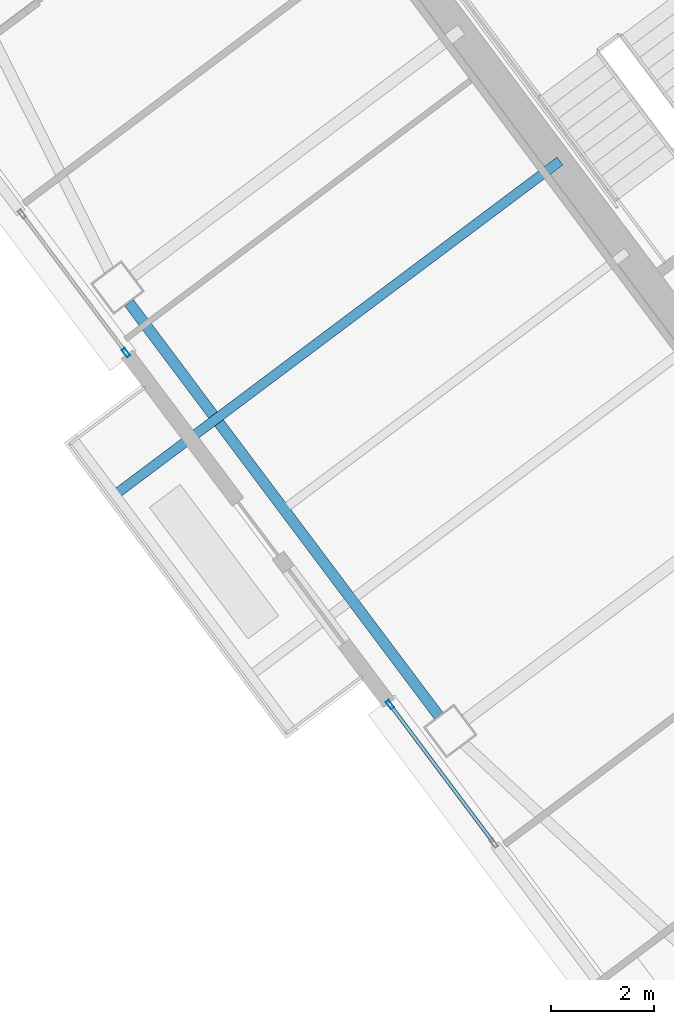
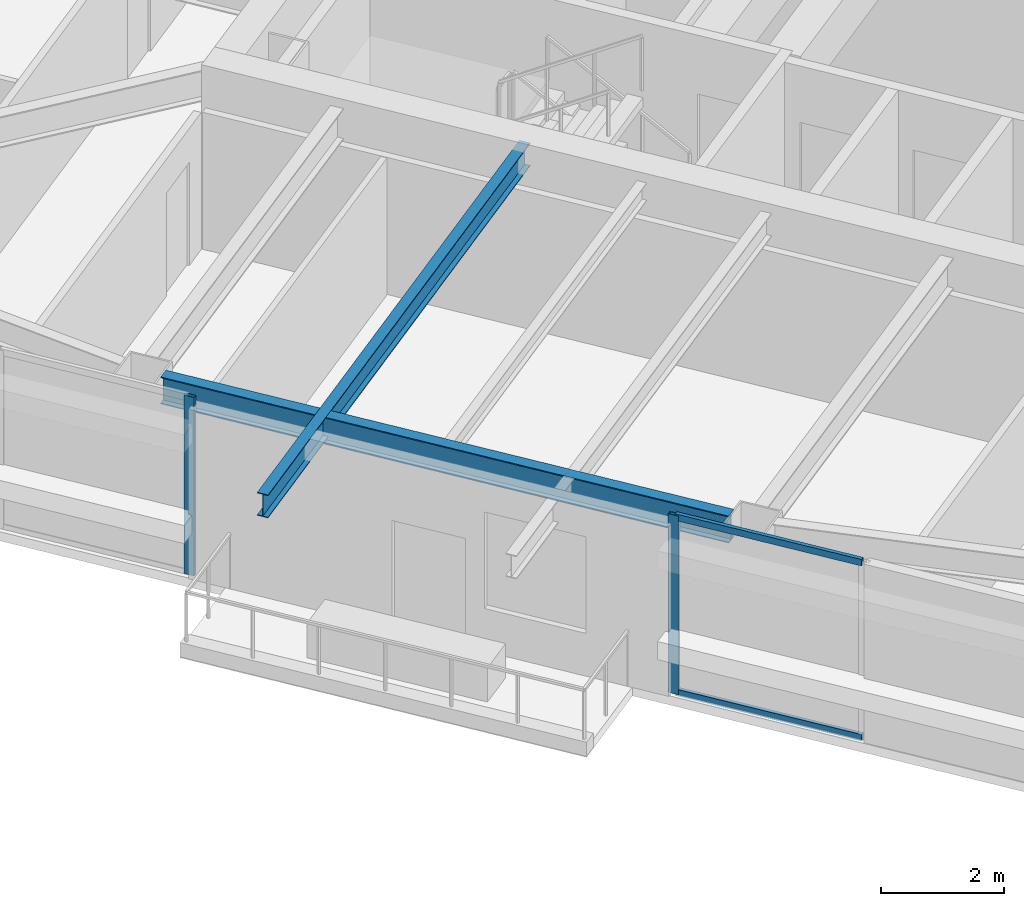
# One storey, part 16 of 41: 4 members, 2 beams, 2 elements without a shape of their own.
"""IFC4 building model written with IfcOpenShell, lengths in metres."""

import ifcopenshell
import ifcopenshell.guid

model = None  # the IFC model being written
_history = None  # IfcOwnerHistory: only IFC2X3 demands one
_inside = {}  # id of a spatial element -> (the spatial element, [elements in it])
_under = {}  # id of a project, library or spatial element -> (it, [spatial elements below it])
_declared = {}  # id of a project -> (the project, [libraries it declares])
_typed = {}  # id of a type object -> (the type object, [elements of that type])
_made_of = {}  # id of a material, layer set ... -> (it, [elements and type objects made of it])


def new_model(schema):
    """Start an empty IFC model of exactly this schema.

    Asked for "IFC4X3", IfcOpenShell would pick the latest addendum, in which some entities
    have other attributes; the version numbers below select the first issue.
    IFC2X3 requires an IfcOwnerHistory on every rooted entity: one is made here for all.
    """
    global model, _history
    if schema == "IFC4X3":
        model = ifcopenshell.file(schema_version=(4, 3, 0, 0))
    else:
        model = ifcopenshell.file(schema=schema)
    _inside.clear()
    _under.clear()
    _declared.clear()
    _typed.clear()
    _made_of.clear()
    _history = None
    if model.schema == "IFC2X3":
        org = make("IfcOrganization", Name="unknown")
        user = make(
            "IfcPersonAndOrganization",
            ThePerson=make("IfcPerson", FamilyName="unknown"),
            TheOrganization=org,
        )
        app = make(
            "IfcApplication",
            ApplicationDeveloper=org,
            Version="unknown",
            ApplicationFullName="unknown",
            ApplicationIdentifier="unknown",
        )
        _history = make(
            "IfcOwnerHistory",
            OwningUser=user,
            OwningApplication=app,
            ChangeAction="ADDED",
            CreationDate=0,
        )
    return model


def make(cls, **values):
    """One entity of the class cls with the attributes given. An attribute that is None is left unset."""
    return model.create_entity(
        cls, **{name: value for name, value in values.items() if value is not None}
    )


def rooted(cls, **values):
    """An entity with a GlobalId (a new one), such as an element, a storey or a relation."""
    return make(cls, GlobalId=ifcopenshell.guid.new(), OwnerHistory=_history, **values)


def si_unit(unit_type, name, prefix=None):
    """IfcSIUnit, for example si_unit("LENGTHUNIT", "METRE", prefix="MILLI")."""
    return make("IfcSIUnit", UnitType=unit_type, Prefix=prefix, Name=name)


def assignment(units):
    """IfcUnitAssignment: the units of a project."""
    return None if units is None else make("IfcUnitAssignment", Units=units)


def point(xyz):
    """IfcCartesianPoint."""
    return None if xyz is None else make("IfcCartesianPoint", Coordinates=xyz)


def direction(xyz):
    """IfcDirection."""
    return None if xyz is None else make("IfcDirection", DirectionRatios=xyz)


def frame(location, z_axis=None, x_axis=None):
    """IfcAxis2Placement3D, a coordinate frame: its origin and axes. An axis left out is left unset."""
    return make(
        "IfcAxis2Placement3D",
        Location=point(location),
        Axis=direction(z_axis),
        RefDirection=direction(x_axis),
    )


def frame_2d(location, x_axis=None):
    """IfcAxis2Placement2D, a coordinate frame in the plane: its origin and x axis."""
    return make(
        "IfcAxis2Placement2D", Location=point(location), RefDirection=direction(x_axis)
    )


def origin():
    """The frame at (0, 0, 0) with its axes left unset."""
    return frame((0.0, 0.0, 0.0))


def origin_2d():
    """The frame at (0, 0) in the plane with its x axis left unset."""
    return frame_2d((0.0, 0.0))


def place(relative_to, where):
    """IfcLocalPlacement: puts the frame where relative to a parent placement (None: the world)."""
    return make(
        "IfcLocalPlacement", PlacementRelTo=relative_to, RelativePlacement=where
    )


def context(
    kind, dimensions, precision=None, world=None, true_north=None, identifier=None
):
    """IfcGeometricRepresentationContext, for example the 3D "Model" context."""
    return make(
        "IfcGeometricRepresentationContext",
        ContextIdentifier=identifier,
        ContextType=kind,
        CoordinateSpaceDimension=dimensions,
        Precision=precision,
        WorldCoordinateSystem=world,
        TrueNorth=true_north,
    )


def subcontext(parent, identifier, kind, view, scale=None):
    """IfcGeometricRepresentationSubContext, for example "Body" below "Model"."""
    return make(
        "IfcGeometricRepresentationSubContext",
        ContextIdentifier=identifier,
        ContextType=kind,
        ParentContext=parent,
        TargetScale=scale,
        TargetView=view,
    )


def project(units=None, contexts=None):
    """IfcProject with its units and contexts."""
    return rooted(
        "IfcProject",
        Name="project",
        RepresentationContexts=contexts,
        UnitsInContext=assignment(units),
    )


def spatial(cls, under=None, at=None, **own):
    """A site, building, storey or space (cls), placed at a placement, below another one or the project."""
    s = rooted(cls, ObjectPlacement=at, **own)
    if under is not None:
        _under.setdefault(under.id(), (under, []))[1].append(s)
    return s


def profile(cls, at=None, kind="AREA", **sizes):
    """A parametric profile (cls). Its sizes go by their IFC names, for example OverallWidth=200.0."""
    return make(cls, ProfileType=kind, Position=at, **sizes)


def hollow_rectangle(**sizes):
    """IfcRectangleHollowProfileDef."""
    return profile("IfcRectangleHollowProfileDef", **sizes)


def i_section(**sizes):
    """IfcIShapeProfileDef."""
    return profile("IfcIShapeProfileDef", **sizes)


def extrude(swept, where, along, depth):
    """IfcExtrudedAreaSolid: the profile swept, set in the frame where, extruded along a direction by depth."""
    return make(
        "IfcExtrudedAreaSolid",
        SweptArea=swept,
        Position=where,
        ExtrudedDirection=direction(along),
        Depth=depth,
    )


def shape(context_of_items, identifier, shape_type, items):
    """IfcShapeRepresentation: the items that make up one representation, for example the "Body"."""
    return make(
        "IfcShapeRepresentation",
        ContextOfItems=context_of_items,
        RepresentationIdentifier=identifier,
        RepresentationType=shape_type,
        Items=items,
    )


def material(Name=None, Category=None):
    """IfcMaterial."""
    return make("IfcMaterial", Name=Name, Category=Category)


def material_profile(
    of_material, cross_section, Name=None, Category=None, Priority=None
):
    """IfcMaterialProfile: a cross section and its material."""
    return make(
        "IfcMaterialProfile",
        Name=Name,
        Material=of_material,
        Profile=cross_section,
        Priority=Priority,
        Category=Category,
    )


def profile_set(profiles, Name=None, composite=None):
    """IfcMaterialProfileSet."""
    return make(
        "IfcMaterialProfileSet",
        Name=Name,
        MaterialProfiles=profiles,
        CompositeProfile=composite,
    )


def made_of(thing, what):
    """Note that an element or type object is made of a material, layer set ...; save() writes the relation."""
    if what is not None:
        _made_of.setdefault(what.id(), (what, []))[1].append(thing)
    return thing


def type_object(cls, material=None, **own):
    """A type object (cls), such as IfcWallType, which elements share."""
    return made_of(rooted(cls, **own), material)


def element(
    cls,
    number,
    at=None,
    inside=None,
    cuts=None,
    type_object=None,
    material=None,
    context=None,
    identifier="Body",
    shape_type=None,
    held_by="IfcProductDefinitionShape",
    body=None,
    shapes=None,
    **own,
):
    """One element of the class cls, such as IfcWall. Its Tag is "e" and its number.

    at: its placement. inside: the storey or other place that contains it. cuts: it is an
    opening in that element (IfcRelVoidsElement). A single representation is given by context,
    identifier, shape_type and body (its items); several are given by shapes. held_by: the class
    of the entity that holds the representations. save() writes the other relations.
    """
    e = rooted(cls, Tag="e%d" % number, ObjectPlacement=at, **own)
    if body is not None:
        shapes = [shape(context, identifier, shape_type, body)]
    if shapes is not None:
        e.Representation = make(held_by, Representations=shapes)
    if inside is not None:
        _inside.setdefault(inside.id(), (inside, []))[1].append(e)
    if cuts is not None:
        rooted(
            "IfcRelVoidsElement", RelatingBuildingElement=cuts, RelatedOpeningElement=e
        )
    if type_object is not None:
        _typed.setdefault(type_object.id(), (type_object, []))[1].append(e)
    return made_of(e, material)


def aggregate(whole, parts):
    """IfcRelAggregates: a whole, such as a stair, and the parts it consists of."""
    return rooted("IfcRelAggregates", RelatingObject=whole, RelatedObjects=parts)


def save(model, path):
    """Write the relations noted so far, then the file.

    IfcRelAggregates (storeys below a building ...), IfcRelContainedInSpatialStructure (elements
    in a storey), IfcRelDefinesByType, IfcRelAssociatesMaterial and IfcRelDeclares: one each for
    every whole, place, type object, material and project.
    """
    for whole, parts in _under.values():
        aggregate(whole, parts)
    for where, things in _inside.values():
        rooted(
            "IfcRelContainedInSpatialStructure",
            RelatedElements=things,
            RelatingStructure=where,
        )
    for kind, things in _typed.values():
        rooted("IfcRelDefinesByType", RelatedObjects=things, RelatingType=kind)
    for what, things in _made_of.values():
        rooted("IfcRelAssociatesMaterial", RelatedObjects=things, RelatingMaterial=what)
    for by, libraries in _declared.values():
        rooted("IfcRelDeclares", RelatingContext=by, RelatedDefinitions=libraries)
    model.write(path)


model = new_model("IFC4")

# Units and contexts
model_context = context("Model", 3, precision=1e-05, world=origin(), true_north=direction((0.0, 1.0)))
body_context = subcontext(model_context, "Body", "Model", "MODEL_VIEW")
ifc_project = project(units=[si_unit("LENGTHUNIT", "METRE"), si_unit("AREAUNIT", "SQUARE_METRE"), si_unit("VOLUMEUNIT", "CUBIC_METRE"), si_unit("PLANEANGLEUNIT", "RADIAN"), si_unit("MASSUNIT", "GRAM", prefix="KILO")], contexts=[model_context])

# Site, building, storey
site_placement = place(None, origin())
site = spatial("IfcSite", under=ifc_project, at=site_placement, CompositionType="ELEMENT")
building_placement = place(site_placement, origin())
building = spatial("IfcBuilding", under=site, at=building_placement, Name="Tashvorn Skyway Center", CompositionType="ELEMENT")
storey_placement = place(building_placement, frame((0.0, 0.0, 171.199951171875)))
storey = spatial("IfcBuildingStorey", under=building, at=storey_placement, Name="L46", CompositionType="ELEMENT", Elevation=171.199951171875)

# Beams
ifc_material_1 = material(Name="Steel ASTM A992 Grade 50", Category="steel")
ifc_material_profile_1 = material_profile(ifc_material_1, i_section(OverallWidth=0.19091796875, OverallDepth=0.4599609375, WebThickness=0.010009765625, FlangeThickness=0.01611328125, at=origin_2d()), Name="W18X55")
ifc_profile_set_1 = profile_set([ifc_material_profile_1], Name="Steel ASTM A992 Grade 50")
beam_type_1 = type_object("IfcBeamType", Name="BM-JOIST-W18X55", PredefinedType="JOIST", material=ifc_profile_set_1)
beam_1_placement = place(storey_placement, frame((106.4560546875, 29.092041015625, 3.14013671875), z_axis=(-0.800002695192, -0.599996406394, 0.0), x_axis=(0.599996406394, -0.800002695192, 0.0)))
element("IfcBeam", 1, at=beam_1_placement, inside=storey, type_object=beam_type_1, Name="Tower 2 L47 Terrace Cantilever Outlooker 2", PredefinedType="JOIST", context=body_context, shape_type="SweptSolid", body=[
    extrude(i_section(OverallWidth=0.19091796875, OverallDepth=0.4599609375, WebThickness=0.010009765625, FlangeThickness=0.01611328125, at=origin_2d()), origin(), (0.0, 0.0, 1.0), 10.8701171875),
])
ifc_material_profile_2 = material_profile(ifc_material_1, i_section(OverallWidth=0.2109375, OverallDepth=0.5390625, WebThickness=0.01171875, FlangeThickness=0.018798828125, at=origin_2d()), Name="W21X73")
ifc_profile_set_2 = profile_set([ifc_material_profile_2], Name="Steel ASTM A992 Grade 50")
beam_type_2 = type_object("IfcBeamType", Name="BM-SPANDREL-W21X73", PredefinedType="SPANDREL", material=ifc_profile_set_2)
beam_2_placement = place(storey_placement, frame((98.06201171875, 26.333984375, 3.1005859375), z_axis=(0.599988351091, -0.800008736549, 0.0), x_axis=(0.800008736549, 0.599988351091, 0.0)))
element("IfcBeam", 2, at=beam_2_placement, inside=storey, type_object=beam_type_2, Name="Tower 2 L46 Spandrel Beam 11", PredefinedType="SPANDREL", context=body_context, shape_type="SweptSolid", body=[
    extrude(i_section(OverallWidth=0.2109375, OverallDepth=0.5390625, WebThickness=0.01171875, FlangeThickness=0.018798828125, at=origin_2d()), origin(), (0.0, 0.0, 1.0), 10.06005859375),
])

# Curtain wall, member
ifc_material_2 = material(Name="Thermally broken bronze-anodized aluminium 6063-T6", Category="aluminium")
curtain_wall_type = type_object("IfcCurtainWallType", Name="CW-CW-Z4", PredefinedType="NOTDEFINED", material=ifc_material_2)
curtain_wall_1_placement = place(storey_placement, origin())
curtain_wall_1 = element("IfcCurtainWall", 3, at=curtain_wall_1_placement, inside=storey, type_object=curtain_wall_type, Name="Tower 2 L46 West Curtain Wall L Glazing Group 2", PredefinedType="NOTDEFINED")
ifc_material_profile_3 = material_profile(ifc_material_2, hollow_rectangle(XDim=0.070068359375, YDim=0.179931640625, WallThickness=0.00390625, at=origin_2d()), Name="ALU-MULL-70x180")
ifc_profile_set_3 = profile_set([ifc_material_profile_3], Name="Thermally broken bronze-anodized aluminium 6063-T6")
member_type_1 = type_object("IfcMemberType", Name="CWM-CW-Z4", PredefinedType="MULLION", material=ifc_profile_set_3)
member_1_placement = place(storey_placement, frame((103.14697265625, 18.50390625, 0.0), z_axis=(0.0, 0.0, 1.0), x_axis=(-0.800003484954, -0.599995353367, 0.0)))
member_1 = element("IfcMember", 4, at=member_1_placement, type_object=member_type_1, Name="CW-Z4 mullion 2", PredefinedType="MULLION", context=body_context, shape_type="SweptSolid", body=[
    extrude(hollow_rectangle(XDim=0.070068359375, YDim=0.179931640625, WallThickness=0.00390625, at=origin_2d()), origin(), (0.0, 0.0, 1.0), 3.550048828125),
])

curtain_wall_2_placement = place(storey_placement, origin())
curtain_wall_2 = element("IfcCurtainWall", 5, at=curtain_wall_2_placement, inside=storey, type_object=curtain_wall_type, Name="Tower 2 L46 West Curtain Wall R Glazing Group 1", PredefinedType="NOTDEFINED")
member_2_placement = place(storey_placement, frame((98.0048828125, 25.360107421875, 0.0), z_axis=(0.0, 0.0, 1.0), x_axis=(-0.800003484954, -0.599995353367, 0.0)))
member_2 = element("IfcMember", 6, at=member_2_placement, type_object=member_type_1, Name="CW-Z4 mullion 1", PredefinedType="MULLION", context=body_context, shape_type="SweptSolid", body=[
    extrude(hollow_rectangle(XDim=0.070068359375, YDim=0.179931640625, WallThickness=0.00390625, at=origin_2d()), origin(), (0.0, 0.0, 1.0), 3.550048828125),
])
aggregate(curtain_wall_2, [member_2])

# Member
ifc_material_profile_4 = material_profile(ifc_material_2, hollow_rectangle(XDim=0.070068359375, YDim=0.1298828125, WallThickness=0.00390625, at=origin_2d()), Name="ALU-TRAN-70x130")
ifc_profile_set_4 = profile_set([ifc_material_profile_4], Name="Thermally broken bronze-anodized aluminium 6063-T6")
member_type_2 = type_object("IfcMemberType", Name="CWT-CW-Z4", PredefinedType="USERDEFINED", material=ifc_profile_set_4)
member_3_placement = place(storey_placement, frame((105.14990234375, 15.833251953125, 0.03515625), z_axis=(-0.599964524789, 0.800026605179, 0.0), x_axis=(-0.800026605179, -0.599964524789, 0.0)))
member_3 = element("IfcMember", 7, at=member_3_placement, type_object=member_type_2, Name="CW-Z4 transom 1.1", ObjectType="TRANSOM", PredefinedType="USERDEFINED", context=body_context, shape_type="SweptSolid", body=[
    extrude(hollow_rectangle(XDim=0.070068359375, YDim=0.1298828125, WallThickness=0.00390625, at=origin_2d()), origin(), (0.0, 0.0, 1.0), 3.303466796875),
])

member_4_placement = place(storey_placement, frame((105.14990234375, 15.833251953125, 3.51513671875), z_axis=(-0.599964524789, 0.800026605179, 0.0), x_axis=(-0.800026605179, -0.599964524789, 0.0)))
member_4 = element("IfcMember", 8, at=member_4_placement, type_object=member_type_2, Name="CW-Z4 transom 1.2", ObjectType="TRANSOM", PredefinedType="USERDEFINED", context=body_context, shape_type="SweptSolid", body=[
    extrude(hollow_rectangle(XDim=0.070068359375, YDim=0.1298828125, WallThickness=0.00390625, at=origin_2d()), origin(), (0.0, 0.0, 1.0), 3.303466796875),
])

aggregate(curtain_wall_1, [member_1, member_3, member_4])

save(model, "model.ifc")
